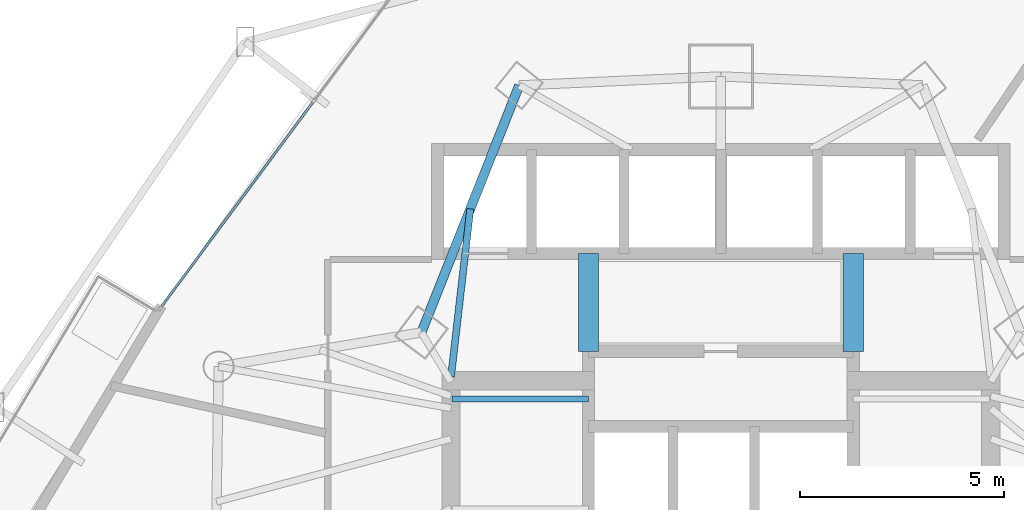
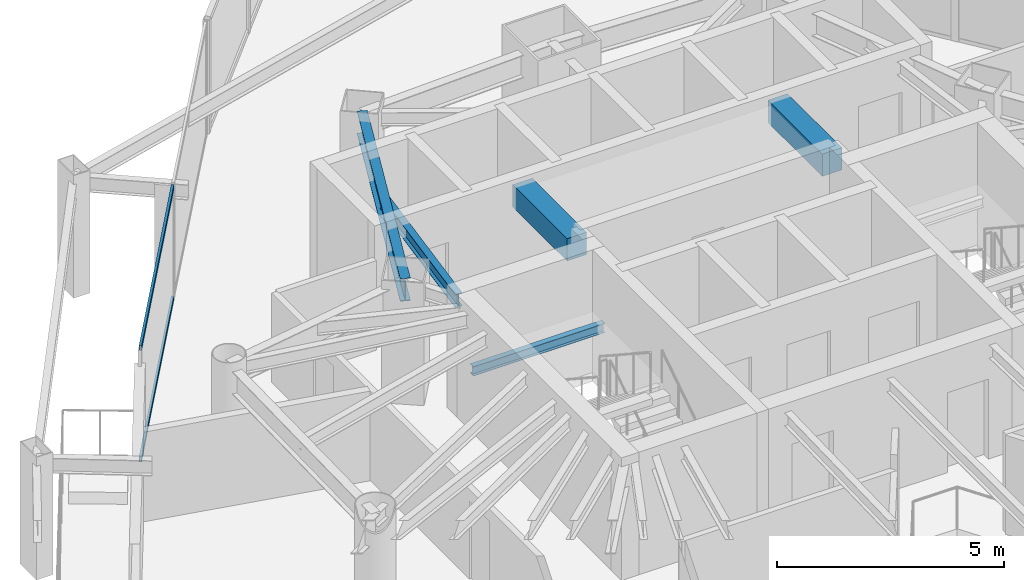
# One storey, part 24 of 37: 5 beams, 2 members, 1 element without a shape of its own.
"""IFC4 building model written with IfcOpenShell, lengths in metres."""

from ifc_helpers import new_model, si_unit, direction, frame, origin, origin_2d, place, context, subcontext, project, spatial, rectangle, hollow_rectangle, i_section, extrude, material, layer, layer_set, material_profile, profile_set, type_object, element, aggregate, save


model = new_model("IFC4")

# Units and contexts
model_context = context("Model", 3, precision=1e-05, world=origin(), true_north=direction((0.0, 1.0)))
body_context = subcontext(model_context, "Body", "Model", "MODEL_VIEW")
ifc_project = project(units=[si_unit("LENGTHUNIT", "METRE"), si_unit("AREAUNIT", "SQUARE_METRE"), si_unit("VOLUMEUNIT", "CUBIC_METRE"), si_unit("PLANEANGLEUNIT", "RADIAN"), si_unit("MASSUNIT", "GRAM", prefix="KILO")], contexts=[model_context])

# Site, building, storey
site_placement = place(None, origin())
site = spatial("IfcSite", under=ifc_project, at=site_placement, CompositionType="ELEMENT")
building_placement = place(site_placement, origin())
building = spatial("IfcBuilding", under=site, at=building_placement, Name="Orvanel Arch Residences", CompositionType="ELEMENT")
storey_placement = place(building_placement, frame((0.0, 0.0, 53.300048828125)))
storey = spatial("IfcBuildingStorey", under=building, at=storey_placement, Name="L14", CompositionType="ELEMENT", Elevation=53.300048828125)

# Beams
ifc_material_1 = material(Name="Structural steel AS/NZS 3679.1 Grade 300 (300 MPa)", Category="steel")
ifc_material_profile_1 = material_profile(ifc_material_1, i_section(OverallWidth=0.14599609375, OverallDepth=0.251953125, WebThickness=0.006103515625, FlangeThickness=0.008544921875, at=origin_2d()), Name="250UB31.4")
ifc_profile_set_1 = profile_set([ifc_material_profile_1], Name="Structural steel AS/NZS 3679.1 Grade 300 (300 MPa)")
beam_type_1 = type_object("IfcBeamType", Name="BJ-250UB", PredefinedType="JOIST", material=ifc_profile_set_1)
beam_1_placement = place(storey_placement, frame((26.39990234375, 33.47998046875, 1.323974609375), z_axis=(1.0, 0.0, 0.0), x_axis=(0.0, 1.0, 0.0)))
element("IfcBeam", 1, at=beam_1_placement, inside=storey, type_object=beam_type_1, Name="L14 ST-1 Half-Landing Support Beam 1.2", PredefinedType="JOIST", context=body_context, shape_type="SweptSolid", body=[
    extrude(i_section(OverallWidth=0.14599609375, OverallDepth=0.251953125, WebThickness=0.006103515625, FlangeThickness=0.008544921875, at=origin_2d()), origin(), (0.0, 0.0, 1.0), 3.35009765625),
])
ifc_material_profile_2 = material_profile(ifc_material_1, i_section(OverallWidth=0.1708984375, OverallDepth=0.35595703125, WebThickness=0.00732421875, FlangeThickness=0.011474609375, at=origin_2d()), Name="360UB50.7")
ifc_profile_set_2 = profile_set([ifc_material_profile_2], Name="Structural steel AS/NZS 3679.1 Grade 300 (300 MPa)")
beam_type_2 = type_object("IfcBeamType", Name="BJ-360UB", PredefinedType="JOIST", material=ifc_profile_set_2)
beam_2_placement = place(storey_placement, frame((26.375, 34.02001953125, 2.8818359375), z_axis=(0.114186670431, 0.993459311847, 0.0), x_axis=(-0.993459311847, 0.114186670431, 0.0)))
element("IfcBeam", 2, at=beam_2_placement, inside=storey, type_object=beam_type_2, Name="L14 NNW2 Wing Floor Joist", PredefinedType="JOIST", context=body_context, shape_type="SweptSolid", body=[
    extrude(i_section(OverallWidth=0.1708984375, OverallDepth=0.35595703125, WebThickness=0.00732421875, FlangeThickness=0.011474609375, at=origin_2d()), origin(), (0.0, 0.0, 1.0), 4.152099609375),
])
ifc_material_2 = material(Name="Concrete S65 (65 MPa)", Category="concrete")
ifc_material_profile_3 = material_profile(ifc_material_2, rectangle(XDim=0.5, YDim=0.60009765625, at=origin_2d()), Name="RC500x600")
ifc_profile_set_3 = profile_set([ifc_material_profile_3], Name="Concrete S65 (65 MPa)")
beam_type_3 = type_object("IfcBeamType", Name="CB-500x600", PredefinedType="LINTEL", material=ifc_profile_set_3)
for number, where, z_axis, x_axis, name in (
    (3, (29.75, 34.64990234375, 2.760009765625), (0.0, 1.0, 0.0), (-1.0, 0.0, 0.0), "L14 West Core Lobby Coupling Lintel Beam"),
    (4, (36.25, 34.64990234375, 2.760009765625), (0.0, 1.0, 0.0), (-1.0, 0.0, 0.0), "L14 East Core Lobby Coupling Lintel Beam"),
):
    element("IfcBeam", number, at=place(storey_placement, frame(where, z_axis=z_axis, x_axis=x_axis)), inside=storey, type_object=beam_type_3, Name=name, PredefinedType="LINTEL", context=body_context, shape_type="SweptSolid", body=[
        extrude(rectangle(XDim=0.5, YDim=0.60009765625, at=origin_2d()), origin(), (0.0, 0.0, 1.0), 2.400146484375),
    ])
ifc_material_profile_4 = material_profile(ifc_material_1, i_section(OverallWidth=0.22900390625, OverallDepth=0.612060546875, WebThickness=0.011962890625, FlangeThickness=0.01953125, at=origin_2d()), Name="610UB125")
ifc_profile_set_4 = profile_set([ifc_material_profile_4], Name="Structural steel AS/NZS 3679.1 Grade 300 (300 MPa)")
beam_type_4 = type_object("IfcBeamType", Name="SP-610UB", PredefinedType="SPANDREL", material=ifc_profile_set_4)
beam_3_placement = place(storey_placement, frame((28.050048828125, 41.177978515625, 2.75390625), z_axis=(-0.368233143579, -0.929733484376, 0.0), x_axis=(0.929733484376, -0.368233143579, 0.0)))
element("IfcBeam", 5, at=beam_3_placement, inside=storey, type_object=beam_type_4, Name="L14 Perimeter Spandrel Beam 18", PredefinedType="SPANDREL", context=body_context, shape_type="SweptSolid", body=[
    extrude(i_section(OverallWidth=0.22900390625, OverallDepth=0.612060546875, WebThickness=0.011962890625, FlangeThickness=0.01953125, at=origin_2d()), origin(), (0.0, 0.0, 1.0), 6.523193359375),
])

# Curtain wall, members
ifc_material_3 = material(Name="Bronze-anodised aluminium AA6063-T6", Category="aluminium")
ifc_layer = layer(ifc_material_3, 0.179931640625)
ifc_layer_set = layer_set([ifc_layer], Name="Bronze-anodised aluminium AA6063-T6")
curtain_wall_type = type_object("IfcCurtainWallType", Name="CW2-LOW-SYS", PredefinedType="NOTDEFINED", material=ifc_layer_set)
curtain_wall_placement = place(storey_placement, origin())
curtain_wall = element("IfcCurtainWall", 6, at=curtain_wall_placement, inside=storey, type_object=curtain_wall_type, Name="L14 CW2-LOW-SYS Unitised Curtain Wall", PredefinedType="NOTDEFINED")
ifc_material_profile_5 = material_profile(ifc_material_3, hollow_rectangle(XDim=0.06005859375, YDim=0.135009765625, WallThickness=0.00390625, at=origin_2d()), Name="ALU135x60x4")
ifc_profile_set_5 = profile_set([ifc_material_profile_5], Name="Bronze-anodised aluminium AA6063-T6")
member_type = type_object("IfcMemberType", Name="TRN-135x60", PredefinedType="USERDEFINED", material=ifc_profile_set_5)
member_1_placement = place(storey_placement, frame((22.984130859375, 40.763427734375, 0.030029296875), z_axis=(-0.595644949227, -0.803247841243, 0.0), x_axis=(0.803247841243, -0.595644949227, 0.0)))
member_1 = element("IfcMember", 7, at=member_1_placement, type_object=member_type, Name="CW-S2 transom 2.1", ObjectType="TRANSOM", PredefinedType="USERDEFINED", context=body_context, shape_type="SweptSolid", body=[
    extrude(hollow_rectangle(XDim=0.06005859375, YDim=0.135009765625, WallThickness=0.00390625, at=origin_2d()), origin(), (0.0, 0.0, 1.0), 6.237548828125),
])
member_2_placement = place(storey_placement, frame((22.984130859375, 40.763427734375, 3.030029296875), z_axis=(-0.595644949227, -0.803247841243, 0.0), x_axis=(0.803247841243, -0.595644949227, 0.0)))
member_2 = element("IfcMember", 8, at=member_2_placement, type_object=member_type, Name="CW-S2 transom 2.2", ObjectType="TRANSOM", PredefinedType="USERDEFINED", context=body_context, shape_type="SweptSolid", body=[
    extrude(hollow_rectangle(XDim=0.06005859375, YDim=0.135009765625, WallThickness=0.00390625, at=origin_2d()), origin(), (0.0, 0.0, 1.0), 6.237548828125),
])
aggregate(curtain_wall, [member_1, member_2])

save(model, "model.ifc")
